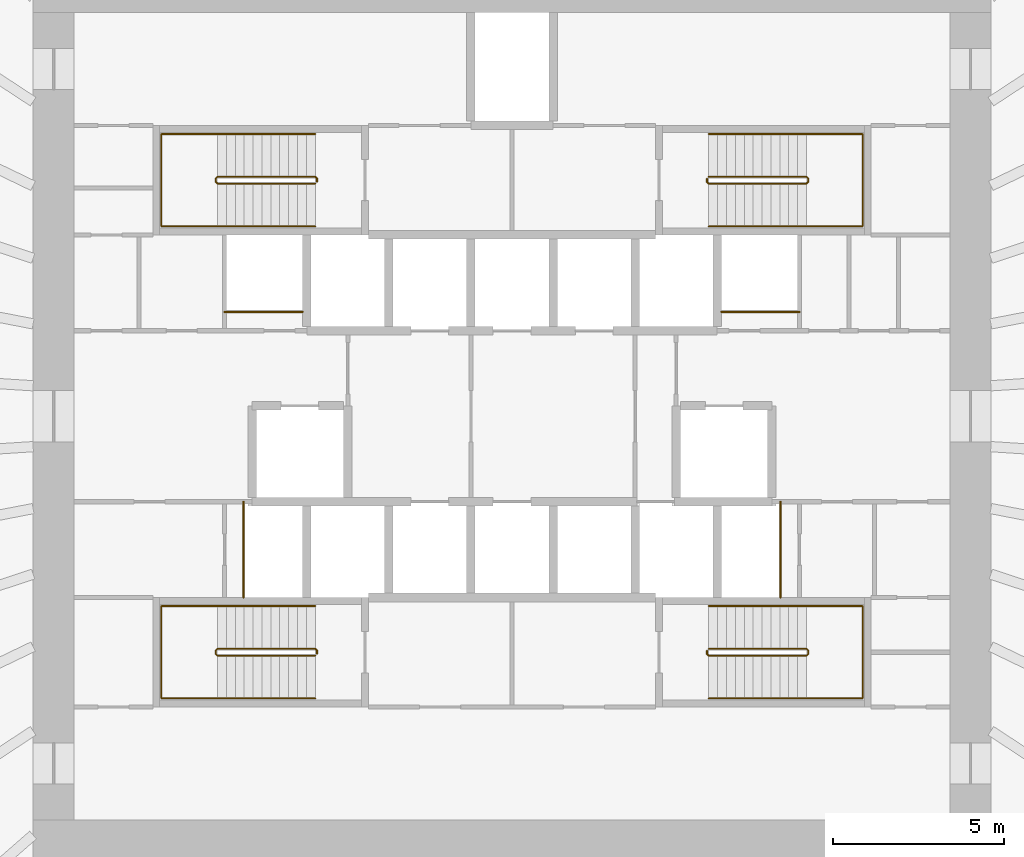
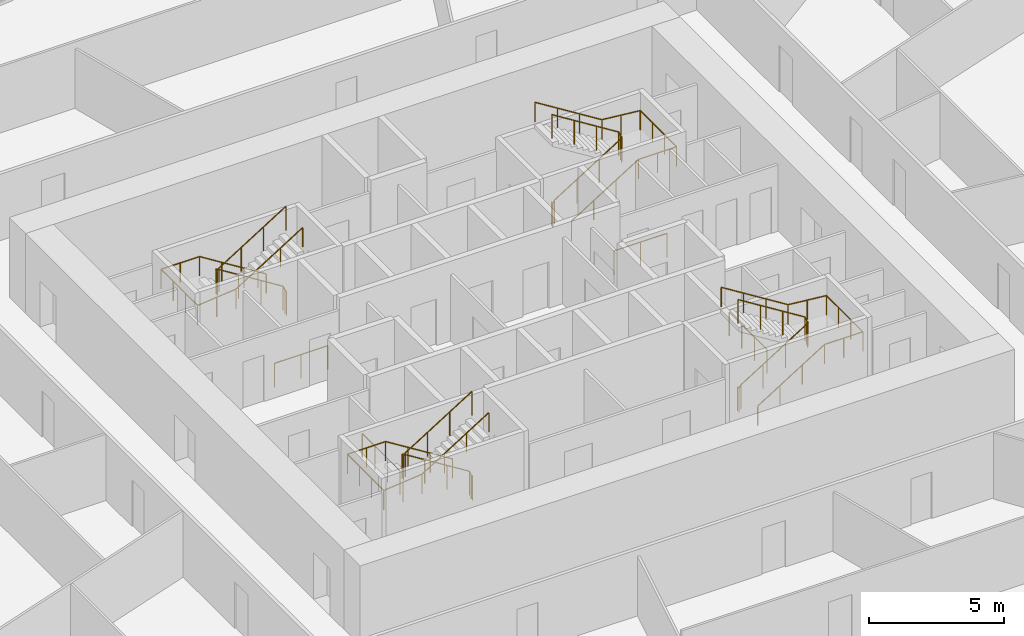
# One storey, part 11 of 11: 12 railings.
"""IFC4 building model written with IfcOpenShell, lengths in metres."""

from ifc_helpers import new_model, si_unit, direction, frame, origin, origin_2d, place, context, subcontext, project, spatial, circle, extrude, source, transform, mapped, material, type_object, element, save


model = new_model("IFC4")

# Units and contexts
model_context = context("Model", 3, precision=1e-05, world=origin(), true_north=direction((0.0, 1.0)))
body_context = subcontext(model_context, "Body", "Model", "MODEL_VIEW")
ifc_project = project(units=[si_unit("LENGTHUNIT", "METRE"), si_unit("AREAUNIT", "SQUARE_METRE"), si_unit("VOLUMEUNIT", "CUBIC_METRE"), si_unit("PLANEANGLEUNIT", "RADIAN"), si_unit("MASSUNIT", "GRAM", prefix="KILO")], contexts=[model_context])

# Site, building, storey
site_placement = place(None, origin())
site = spatial("IfcSite", under=ifc_project, at=site_placement, CompositionType="ELEMENT")
building_placement = place(site_placement, origin())
building = spatial("IfcBuilding", under=site, at=building_placement, Name="Embergate Tower", CompositionType="ELEMENT")
storey_placement = place(building_placement, frame((0.0, 0.0, 49.699951171875)))
storey = spatial("IfcBuildingStorey", under=building, at=storey_placement, Name="L08", CompositionType="ELEMENT", Elevation=49.699951171875)

# Railings
ifc_material_1 = material(Name="Stair guard 1100")
railing_type_1 = type_object("IfcRailingType", Name="Stair guard 1100", PredefinedType="GUARDRAIL", material=ifc_material_1)
shared_shape_1 = source(origin(), body_context, "Body", "SweptSolid", [
    extrude(circle(Radius=0.02392578125, at=origin_2d()), frame((0.0, 0.0, 1.076171875), z_axis=(0.0, 1.0, 0.0), x_axis=(-1.0, 0.0, 0.0)), (0.0, 0.0, 1.0), 0.099853515625),
    extrude(circle(Radius=0.02392578125, at=origin_2d()), frame((0.0, 0.099853515625, 1.076171875), z_axis=(-0.282227285176, 0.282227285176, 0.916894497205), x_axis=(-0.707106781187, -0.707106781187, 0.0)), (0.0, 0.0, 1.0), 0.17724609375),
    extrude(circle(Radius=0.02392578125, at=origin_2d()), frame((-0.050048828125, 0.14990234375, 1.23876953125), z_axis=(-0.848026770018, 0.0, 0.529953391661), x_axis=(0.0, -1.0, 0.0)), (0.0, 0.0, 1.0), 3.37255859375),
    extrude(circle(Radius=0.02392578125, at=origin_2d()), frame((-2.91015625, 0.14990234375, 3.02587890625), z_axis=(-0.705375805398, -0.708833529934, 0.0), x_axis=(0.708833529934, -0.705375805398, 0.0)), (0.0, 0.0, 1.0), 0.070556640625),
    extrude(circle(Radius=0.02392578125, at=origin_2d()), frame((-2.9599609375, 0.099853515625, 3.02587890625), z_axis=(0.0, -1.0, 0.0), x_axis=(1.0, 0.0, 0.0)), (0.0, 0.0, 1.0), 0.099853515625),
    extrude(circle(Radius=0.02392578125, at=origin_2d()), frame((-2.9599609375, 0.0, 3.02587890625), z_axis=(0.280959487676, -0.282336740067, 0.917250092119), x_axis=(0.708833529934, 0.705375805398, 0.0)), (0.0, 0.0, 1.0), 0.17724609375),
    extrude(circle(Radius=0.02392578125, at=origin_2d()), frame((-2.91015625, -0.050048828125, 3.1884765625), z_axis=(0.847994237388, 0.0, 0.530005446535), x_axis=(0.0, 1.0, 0.0)), (0.0, 0.0, 1.0), 3.372802734375),
    extrude(circle(Radius=0.02099609375, at=origin_2d()), origin(), (0.0, 0.0, 1.0), 1.052001953125),
    extrude(circle(Radius=0.02099609375, at=origin_2d()), frame((0.0, 0.099853515625, 0.0)), (0.0, 0.0, 1.0), 1.052001953125),
    extrude(circle(Radius=0.02099609375, at=origin_2d()), frame((-0.050048828125, 0.14990234375, 0.16259765625)), (0.0, 0.0, 1.0), 1.052001953125),
    extrude(circle(Radius=0.02099609375, at=origin_2d()), frame((-1.00341796875, 0.14990234375, 0.75830078125)), (0.0, 0.0, 1.0), 1.052001953125),
    extrude(circle(Radius=0.02099609375, at=origin_2d()), frame((-1.956787109375, 0.14990234375, 1.354248046875)), (0.0, 0.0, 1.0), 1.052001953125),
    extrude(circle(Radius=0.02099609375, at=origin_2d()), frame((-2.91015625, 0.14990234375, 1.949951171875)), (0.0, 0.0, 1.0), 1.052001953125),
    extrude(circle(Radius=0.02099609375, at=origin_2d()), frame((-2.9599609375, 0.099853515625, 1.949951171875)), (0.0, 0.0, 1.0), 1.052001953125),
    extrude(circle(Radius=0.02099609375, at=origin_2d()), frame((-2.9599609375, 0.0, 1.949951171875)), (0.0, 0.0, 1.0), 1.052001953125),
    extrude(circle(Radius=0.02099609375, at=origin_2d()), frame((-2.91015625, -0.050048828125, 2.112548828125)), (0.0, 0.0, 1.0), 1.052001953125),
    extrude(circle(Radius=0.02099609375, at=origin_2d()), frame((-1.956787109375, -0.050048828125, 2.70849609375)), (0.0, 0.0, 1.0), 1.052001953125),
    extrude(circle(Radius=0.02099609375, at=origin_2d()), frame((-1.00341796875, -0.050048828125, 3.30419921875)), (0.0, 0.0, 1.0), 1.052001953125),
    extrude(circle(Radius=0.02099609375, at=origin_2d()), frame((-0.050048828125, -0.050048828125, 3.900146484375)), (0.0, 0.0, 1.0), 1.052001953125),
])
for number, where, name in (
    (1, (-5.699951171875, 6.85009765625, 0.0), "L08 ST1 stair guard 1"),
    (2, (-5.699951171875, -6.949951171875, 0.0), "L08 ST3 stair guard 1"),
):
    element("IfcRailing", number, at=place(storey_placement, frame(where)), inside=storey, type_object=railing_type_1, Name=name, PredefinedType="GUARDRAIL", context=body_context, shape_type="MappedRepresentation", body=[
        mapped(shared_shape_1, transform((0.0, 0.0, 0.0))),
    ])
ifc_material_2 = material(Name="Stair handrail 900")
railing_type_2 = type_object("IfcRailingType", Name="Stair handrail 900", PredefinedType="HANDRAIL", material=ifc_material_2)
shared_shape_2 = source(origin(), body_context, "Body", "SweptSolid", [
    extrude(circle(Radius=0.02392578125, at=origin_2d()), frame((0.0, 0.0, 0.8759765625), z_axis=(-0.848026770018, 0.0, 0.529953391661), x_axis=(0.0, -1.0, 0.0)), (0.0, 0.0, 1.0), 3.37255859375),
    extrude(circle(Radius=0.02392578125, at=origin_2d()), frame((-2.860107421875, 0.0, 2.6630859375), z_axis=(-1.0, 0.0, 0.0), x_axis=(0.0, -1.0, 0.0)), (0.0, 0.0, 1.0), 1.639892578125),
    extrude(circle(Radius=0.02392578125, at=origin_2d()), frame((-4.5, 0.0, 2.6630859375), z_axis=(0.0, -1.0, 0.0), x_axis=(1.0, 0.0, 0.0)), (0.0, 0.0, 1.0), 2.699951171875),
    extrude(circle(Radius=0.02392578125, at=origin_2d()), frame((-4.5, -2.699951171875, 2.6630859375), z_axis=(0.995120448088, 0.0, 0.098667592441), x_axis=(0.0, 1.0, 0.0)), (0.0, 0.0, 1.0), 1.64794921875),
    extrude(circle(Radius=0.02392578125, at=origin_2d()), frame((-2.860107421875, -2.699951171875, 2.82568359375), z_axis=(0.847994237388, 0.0, 0.530005446535), x_axis=(0.0, 1.0, 0.0)), (0.0, 0.0, 1.0), 3.372802734375),
    extrude(circle(Radius=0.02099609375, at=origin_2d()), origin(), (0.0, 0.0, 1.0), 0.851806640625),
    extrude(circle(Radius=0.02099609375, at=origin_2d()), frame((-0.953369140625, 0.0, 0.595703125)), (0.0, 0.0, 1.0), 0.851806640625),
    extrude(circle(Radius=0.02099609375, at=origin_2d()), frame((-1.90673828125, 0.0, 1.191650390625)), (0.0, 0.0, 1.0), 0.851806640625),
    extrude(circle(Radius=0.02099609375, at=origin_2d()), frame((-2.860107421875, 0.0, 1.787353515625)), (0.0, 0.0, 1.0), 0.851806640625),
    extrude(circle(Radius=0.02099609375, at=origin_2d()), frame((-3.68017578125, 0.0, 1.787353515625)), (0.0, 0.0, 1.0), 0.851806640625),
    extrude(circle(Radius=0.02099609375, at=origin_2d()), frame((-4.5, 0.0, 1.787353515625)), (0.0, 0.0, 1.0), 0.851806640625),
    extrude(circle(Radius=0.02099609375, at=origin_2d()), frame((-4.5, -0.89990234375, 1.787353515625)), (0.0, 0.0, 1.0), 0.851806640625),
    extrude(circle(Radius=0.02099609375, at=origin_2d()), frame((-4.5, -1.800048828125, 1.787353515625)), (0.0, 0.0, 1.0), 0.851806640625),
    extrude(circle(Radius=0.02099609375, at=origin_2d()), frame((-4.5, -2.699951171875, 1.787353515625)), (0.0, 0.0, 1.0), 0.851806640625),
    extrude(circle(Radius=0.02099609375, at=origin_2d()), frame((-3.68017578125, -2.699951171875, 1.86865234375)), (0.0, 0.0, 1.0), 0.851806640625),
    extrude(circle(Radius=0.02099609375, at=origin_2d()), frame((-2.860107421875, -2.699951171875, 1.949951171875)), (0.0, 0.0, 1.0), 0.851806640625),
    extrude(circle(Radius=0.02099609375, at=origin_2d()), frame((-1.90673828125, -2.699951171875, 2.5458984375)), (0.0, 0.0, 1.0), 0.851806640625),
    extrude(circle(Radius=0.02099609375, at=origin_2d()), frame((-0.953369140625, -2.699951171875, 3.1416015625)), (0.0, 0.0, 1.0), 0.851806640625),
    extrude(circle(Radius=0.02099609375, at=origin_2d()), frame((0.0, -2.699951171875, 3.737548828125)), (0.0, 0.0, 1.0), 0.851806640625),
])
for number, where, name in (
    (3, (-5.75, 8.25, 0.16259765625), "L08 ST1 stair handrail 1"),
    (4, (-5.75, -5.550048828125, 0.16259765625), "L08 ST3 stair handrail 1"),
):
    element("IfcRailing", number, at=place(storey_placement, frame(where)), inside=storey, type_object=railing_type_2, Name=name, PredefinedType="HANDRAIL", context=body_context, shape_type="MappedRepresentation", body=[
        mapped(shared_shape_2, transform((0.0, 0.0, 0.0))),
    ])
shared_shape_3 = source(origin(), body_context, "Body", "SweptSolid", [
    extrude(circle(Radius=0.02392578125, at=origin_2d()), frame((0.0, 0.0, 1.076171875), z_axis=(0.0, -1.0, 0.0), x_axis=(1.0, 0.0, 0.0)), (0.0, 0.0, 1.0), 0.099853515625),
    extrude(circle(Radius=0.02392578125, at=origin_2d()), frame((0.0, -0.099853515625, 1.076171875), z_axis=(0.282227285176, -0.282227285176, 0.916894497205), x_axis=(0.707106781187, 0.707106781187, 0.0)), (0.0, 0.0, 1.0), 0.17724609375),
    extrude(circle(Radius=0.02392578125, at=origin_2d()), frame((0.050048828125, -0.14990234375, 1.23876953125), z_axis=(0.848026770018, 0.0, 0.529953391661), x_axis=(0.0, 1.0, 0.0)), (0.0, 0.0, 1.0), 3.37255859375),
    extrude(circle(Radius=0.02392578125, at=origin_2d()), frame((2.91015625, -0.14990234375, 3.02587890625), z_axis=(0.705375805398, 0.708833529934, 0.0), x_axis=(-0.708833529934, 0.705375805398, 0.0)), (0.0, 0.0, 1.0), 0.070556640625),
    extrude(circle(Radius=0.02392578125, at=origin_2d()), frame((2.9599609375, -0.099853515625, 3.02587890625), z_axis=(0.0, 1.0, 0.0), x_axis=(-1.0, 0.0, 0.0)), (0.0, 0.0, 1.0), 0.099853515625),
    extrude(circle(Radius=0.02392578125, at=origin_2d()), frame((2.9599609375, 0.0, 3.02587890625), z_axis=(-0.280959487676, 0.282336740067, 0.917250092119), x_axis=(-0.708833529934, -0.705375805398, 0.0)), (0.0, 0.0, 1.0), 0.17724609375),
    extrude(circle(Radius=0.02392578125, at=origin_2d()), frame((2.91015625, 0.050048828125, 3.1884765625), z_axis=(-0.847994237388, 0.0, 0.530005446535), x_axis=(0.0, -1.0, 0.0)), (0.0, 0.0, 1.0), 3.372802734375),
    extrude(circle(Radius=0.02099609375, at=origin_2d()), origin(), (0.0, 0.0, 1.0), 1.052001953125),
    extrude(circle(Radius=0.02099609375, at=origin_2d()), frame((0.0, -0.099853515625, 0.0)), (0.0, 0.0, 1.0), 1.052001953125),
    extrude(circle(Radius=0.02099609375, at=origin_2d()), frame((0.050048828125, -0.14990234375, 0.16259765625)), (0.0, 0.0, 1.0), 1.052001953125),
    extrude(circle(Radius=0.02099609375, at=origin_2d()), frame((1.00341796875, -0.14990234375, 0.75830078125)), (0.0, 0.0, 1.0), 1.052001953125),
    extrude(circle(Radius=0.02099609375, at=origin_2d()), frame((1.956787109375, -0.14990234375, 1.354248046875)), (0.0, 0.0, 1.0), 1.052001953125),
    extrude(circle(Radius=0.02099609375, at=origin_2d()), frame((2.91015625, -0.14990234375, 1.949951171875)), (0.0, 0.0, 1.0), 1.052001953125),
    extrude(circle(Radius=0.02099609375, at=origin_2d()), frame((2.9599609375, -0.099853515625, 1.949951171875)), (0.0, 0.0, 1.0), 1.052001953125),
    extrude(circle(Radius=0.02099609375, at=origin_2d()), frame((2.9599609375, 0.0, 1.949951171875)), (0.0, 0.0, 1.0), 1.052001953125),
    extrude(circle(Radius=0.02099609375, at=origin_2d()), frame((2.91015625, 0.050048828125, 2.112548828125)), (0.0, 0.0, 1.0), 1.052001953125),
    extrude(circle(Radius=0.02099609375, at=origin_2d()), frame((1.956787109375, 0.050048828125, 2.70849609375)), (0.0, 0.0, 1.0), 1.052001953125),
    extrude(circle(Radius=0.02099609375, at=origin_2d()), frame((1.00341796875, 0.050048828125, 3.30419921875)), (0.0, 0.0, 1.0), 1.052001953125),
    extrude(circle(Radius=0.02099609375, at=origin_2d()), frame((0.050048828125, 0.050048828125, 3.900146484375)), (0.0, 0.0, 1.0), 1.052001953125),
])
for number, where, name in (
    (5, (5.699951171875, 6.949951171875, 0.0), "L08 ST2 stair guard 1"),
    (6, (5.699951171875, -6.85009765625, 0.0), "L08 ST4 stair guard 1"),
):
    element("IfcRailing", number, at=place(storey_placement, frame(where)), inside=storey, type_object=railing_type_1, Name=name, PredefinedType="GUARDRAIL", context=body_context, shape_type="MappedRepresentation", body=[
        mapped(shared_shape_3, transform((0.0, 0.0, 0.0))),
    ])
shared_shape_4 = source(origin(), body_context, "Body", "SweptSolid", [
    extrude(circle(Radius=0.02392578125, at=origin_2d()), frame((0.0, 0.0, 0.8759765625), z_axis=(0.848026770018, 0.0, 0.529953391661), x_axis=(0.0, 1.0, 0.0)), (0.0, 0.0, 1.0), 3.37255859375),
    extrude(circle(Radius=0.02392578125, at=origin_2d()), frame((2.860107421875, 0.0, 2.6630859375), z_axis=(1.0, 0.0, 0.0), x_axis=(0.0, 1.0, 0.0)), (0.0, 0.0, 1.0), 1.639892578125),
    extrude(circle(Radius=0.02392578125, at=origin_2d()), frame((4.5, 0.0, 2.6630859375), z_axis=(0.0, 1.0, 0.0), x_axis=(-1.0, 0.0, 0.0)), (0.0, 0.0, 1.0), 2.699951171875),
    extrude(circle(Radius=0.02392578125, at=origin_2d()), frame((4.5, 2.699951171875, 2.6630859375), z_axis=(-0.995120448088, 0.0, 0.098667592441), x_axis=(0.0, -1.0, 0.0)), (0.0, 0.0, 1.0), 1.64794921875),
    extrude(circle(Radius=0.02392578125, at=origin_2d()), frame((2.860107421875, 2.699951171875, 2.82568359375), z_axis=(-0.847994237388, 0.0, 0.530005446535), x_axis=(0.0, -1.0, 0.0)), (0.0, 0.0, 1.0), 3.372802734375),
    extrude(circle(Radius=0.02099609375, at=origin_2d()), origin(), (0.0, 0.0, 1.0), 0.851806640625),
    extrude(circle(Radius=0.02099609375, at=origin_2d()), frame((0.953369140625, 0.0, 0.595703125)), (0.0, 0.0, 1.0), 0.851806640625),
    extrude(circle(Radius=0.02099609375, at=origin_2d()), frame((1.90673828125, 0.0, 1.191650390625)), (0.0, 0.0, 1.0), 0.851806640625),
    extrude(circle(Radius=0.02099609375, at=origin_2d()), frame((2.860107421875, 0.0, 1.787353515625)), (0.0, 0.0, 1.0), 0.851806640625),
    extrude(circle(Radius=0.02099609375, at=origin_2d()), frame((3.68017578125, 0.0, 1.787353515625)), (0.0, 0.0, 1.0), 0.851806640625),
    extrude(circle(Radius=0.02099609375, at=origin_2d()), frame((4.5, 0.0, 1.787353515625)), (0.0, 0.0, 1.0), 0.851806640625),
    extrude(circle(Radius=0.02099609375, at=origin_2d()), frame((4.5, 0.89990234375, 1.787353515625)), (0.0, 0.0, 1.0), 0.851806640625),
    extrude(circle(Radius=0.02099609375, at=origin_2d()), frame((4.5, 1.800048828125, 1.787353515625)), (0.0, 0.0, 1.0), 0.851806640625),
    extrude(circle(Radius=0.02099609375, at=origin_2d()), frame((4.5, 2.699951171875, 1.787353515625)), (0.0, 0.0, 1.0), 0.851806640625),
    extrude(circle(Radius=0.02099609375, at=origin_2d()), frame((3.68017578125, 2.699951171875, 1.86865234375)), (0.0, 0.0, 1.0), 0.851806640625),
    extrude(circle(Radius=0.02099609375, at=origin_2d()), frame((2.860107421875, 2.699951171875, 1.949951171875)), (0.0, 0.0, 1.0), 0.851806640625),
    extrude(circle(Radius=0.02099609375, at=origin_2d()), frame((1.90673828125, 2.699951171875, 2.5458984375)), (0.0, 0.0, 1.0), 0.851806640625),
    extrude(circle(Radius=0.02099609375, at=origin_2d()), frame((0.953369140625, 2.699951171875, 3.1416015625)), (0.0, 0.0, 1.0), 0.851806640625),
    extrude(circle(Radius=0.02099609375, at=origin_2d()), frame((0.0, 2.699951171875, 3.737548828125)), (0.0, 0.0, 1.0), 0.851806640625),
])
for number, where, name in (
    (7, (5.75, 5.550048828125, 0.16259765625), "L08 ST2 stair handrail 1"),
    (8, (5.75, -8.25, 0.16259765625), "L08 ST4 stair handrail 1"),
):
    element("IfcRailing", number, at=place(storey_placement, frame(where)), inside=storey, type_object=railing_type_2, Name=name, PredefinedType="HANDRAIL", context=body_context, shape_type="MappedRepresentation", body=[
        mapped(shared_shape_4, transform((0.0, 0.0, 0.0))),
    ])
ifc_material_3 = material(Name="Opening guard 1100")
railing_type_3 = type_object("IfcRailingType", Name="Opening guard 1100", PredefinedType="GUARDRAIL", material=ifc_material_3)
shared_shape_5 = source(origin(), body_context, "Body", "SweptSolid", [
    extrude(circle(Radius=0.02392578125, at=origin_2d()), frame((0.0, 0.0, 1.076171875), z_axis=(1.0, 0.0, 0.0), x_axis=(0.0, 1.0, 0.0)), (0.0, 0.0, 1.0), 2.27490234375),
    extrude(circle(Radius=0.02099609375, at=origin_2d()), origin(), (0.0, 0.0, 1.0), 1.052001953125),
    extrude(circle(Radius=0.02099609375, at=origin_2d()), frame((1.137451171875, 0.0, 0.0)), (0.0, 0.0, 1.0), 1.052001953125),
    extrude(circle(Radius=0.02099609375, at=origin_2d()), frame((2.27490234375, 0.0, 0.0)), (0.0, 0.0, 1.0), 1.052001953125),
])
for number, where, name in (
    (9, (-8.39990234375, 3.050048828125, 0.0), "Riser opening guard"),
    (10, (6.125, 3.050048828125, 0.0), "Riser opening guard"),
):
    element("IfcRailing", number, at=place(storey_placement, frame(where)), inside=storey, type_object=railing_type_3, Name=name, PredefinedType="GUARDRAIL", context=body_context, shape_type="MappedRepresentation", body=[
        mapped(shared_shape_5, transform((0.0, 0.0, 0.0))),
    ])
shared_shape_6 = source(origin(), body_context, "Body", "SweptSolid", [
    extrude(circle(Radius=0.02392578125, at=origin_2d()), frame((0.0, 0.0, 1.076171875), z_axis=(0.0, 1.0, 0.0), x_axis=(-1.0, 0.0, 0.0)), (0.0, 0.0, 1.0), 2.800048828125),
    extrude(circle(Radius=0.02099609375, at=origin_2d()), origin(), (0.0, 0.0, 1.0), 1.052001953125),
    extrude(circle(Radius=0.02099609375, at=origin_2d()), frame((0.0, 0.933349609375, 0.0)), (0.0, 0.0, 1.0), 1.052001953125),
    extrude(circle(Radius=0.02099609375, at=origin_2d()), frame((0.0, 1.86669921875, 0.0)), (0.0, 0.0, 1.0), 1.052001953125),
    extrude(circle(Radius=0.02099609375, at=origin_2d()), frame((0.0, 2.800048828125, 0.0)), (0.0, 0.0, 1.0), 1.052001953125),
])
for number, where, name in (
    (11, (-7.85009765625, -5.300048828125, 0.0), "Riser opening guard"),
    (12, (7.85009765625, -5.300048828125, 0.0), "Riser opening guard"),
):
    element("IfcRailing", number, at=place(storey_placement, frame(where)), inside=storey, type_object=railing_type_3, Name=name, PredefinedType="GUARDRAIL", context=body_context, shape_type="MappedRepresentation", body=[
        mapped(shared_shape_6, transform((0.0, 0.0, 0.0))),
    ])

save(model, "model.ifc")
